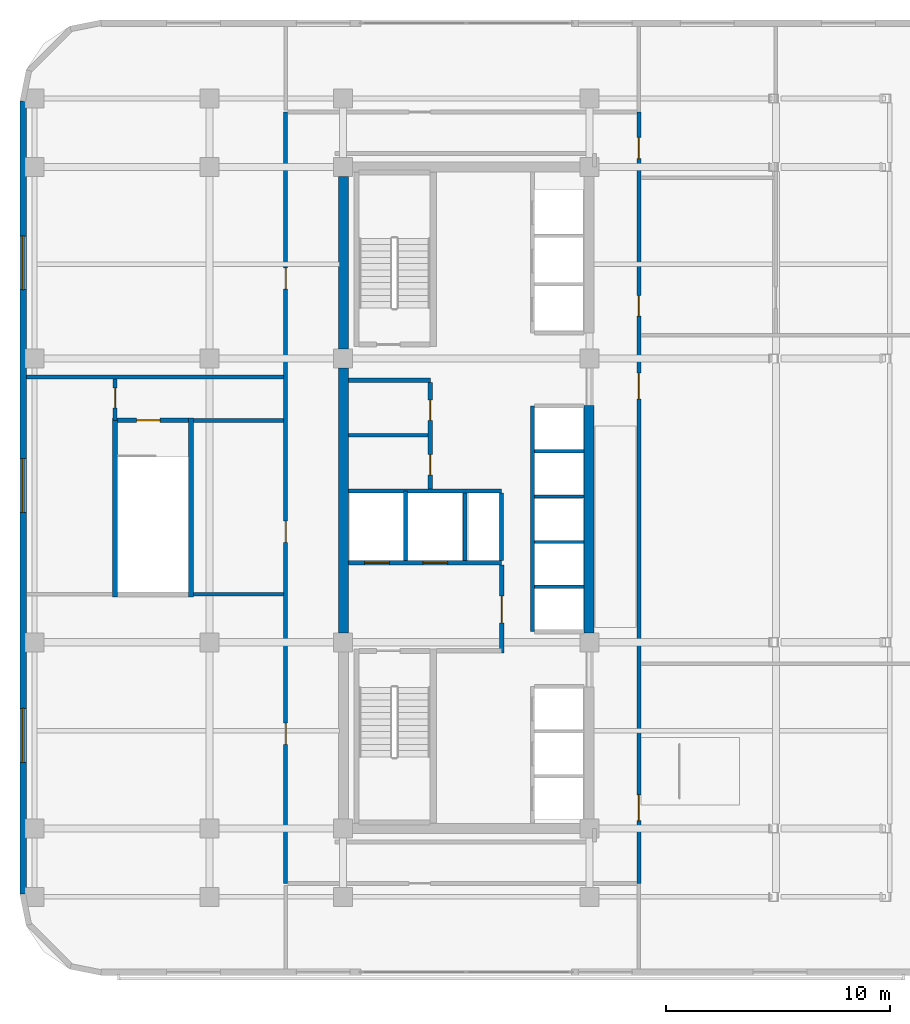
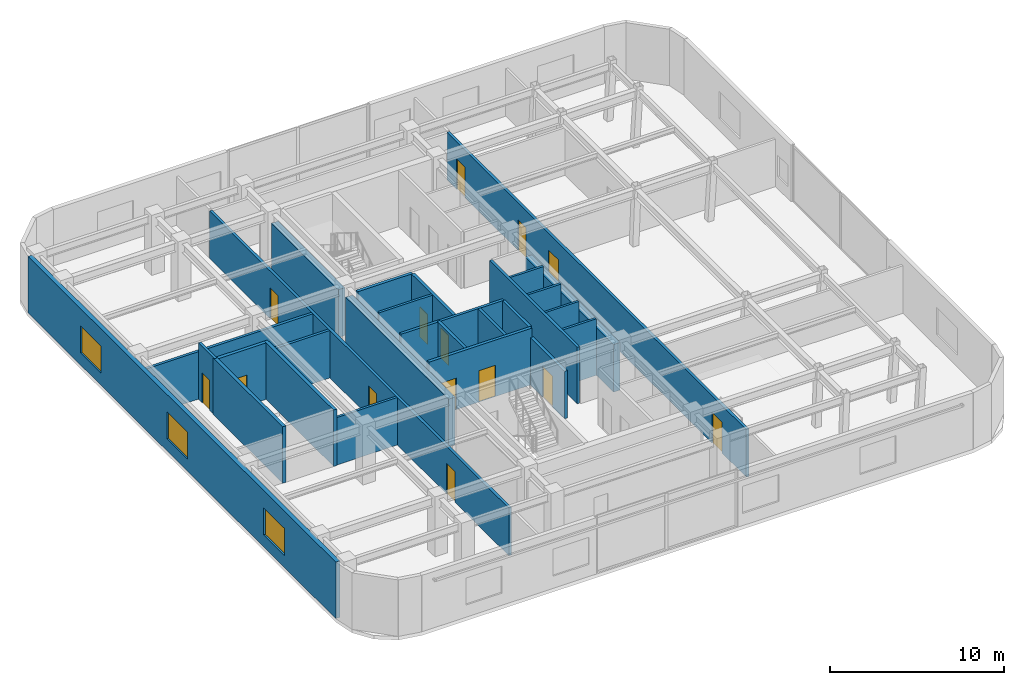
# One storey, part 7 of 13: 27 walls, 14 doors, 3 windows, 17 openings.
"""IFC4 building model written with IfcOpenShell, lengths in metres."""

from ifc_helpers import new_model, si_unit, direction, frame, frame_2d, origin, place, context, subcontext, project, spatial, rectangle, extrude, material, layer, layer_set, type_object, element, fill, save


model = new_model("IFC4")

# Units and contexts
model_context = context("Model", 3, precision=1e-05, world=origin(), true_north=direction((0.0, 1.0)))
body_context = subcontext(model_context, "Body", "Model", "MODEL_VIEW")
ifc_project = project(units=[si_unit("LENGTHUNIT", "METRE"), si_unit("AREAUNIT", "SQUARE_METRE"), si_unit("VOLUMEUNIT", "CUBIC_METRE"), si_unit("PLANEANGLEUNIT", "RADIAN"), si_unit("MASSUNIT", "GRAM", prefix="KILO")], contexts=[model_context])

# Site, building, storey
site_placement = place(None, origin())
site = spatial("IfcSite", under=ifc_project, at=site_placement, CompositionType="ELEMENT")
building_placement = place(site_placement, origin())
building = spatial("IfcBuilding", under=site, at=building_placement, Name="Ochreholt Gables", CompositionType="ELEMENT")
storey_placement = place(building_placement, frame((0.0, 0.0, 98.39990234375)))
storey = spatial("IfcBuildingStorey", under=building, at=storey_placement, Name="L25", CompositionType="ELEMENT", Elevation=98.39990234375)

# Walls
ifc_material_1 = material(Name="Concrete 60 MPa", Category="concrete")
ifc_layer_1 = layer(ifc_material_1, 0.449951171875, Name="Concrete 60 MPa")
ifc_layer_set_1 = layer_set([ifc_layer_1], Name="Concrete 60 MPa")
wall_type_1 = type_object("IfcWallType", Name="WALL-CSW-450", PredefinedType="SHEAR", material=ifc_layer_set_1)
wall_1_placement = place(storey_placement, frame((24.22509765625, 17.97509765625, 0.0), z_axis=(0.0, 0.0, 1.0), x_axis=(0.0, 1.0, 0.0)))
element("IfcWall", 1, at=wall_1_placement, inside=storey, type_object=wall_type_1, Name="L25 Core West Shear Wall WM", PredefinedType="SHEAR", context=body_context, shape_type="SweptSolid", body=[
    extrude(rectangle(XDim=11.7998046875, YDim=0.449951171875, at=frame_2d((5.89990234375, 0.0))), origin(), (0.0, 0.0, 1.0), 3.34912109375),
])
wall_2_placement = place(storey_placement, frame((24.22509765625, 30.625, 0.0), z_axis=(0.0, 0.0, 1.0), x_axis=(0.0, 1.0, 0.0)))
element("IfcWall", 2, at=wall_2_placement, inside=storey, type_object=wall_type_1, Name="L25 Core West Shear Wall WN", PredefinedType="SHEAR", context=body_context, shape_type="SweptSolid", body=[
    extrude(rectangle(XDim=7.699951171875, YDim=0.449951171875, at=frame_2d((3.85009765625, 0.0))), origin(), (0.0, 0.0, 1.0), 3.34912109375),
])
wall_3_placement = place(storey_placement, frame((35.175048828125, 17.97509765625, 0.0), z_axis=(0.0, 0.0, 1.0), x_axis=(0.0, 1.0, 0.0)))
element("IfcWall", 3, at=wall_3_placement, inside=storey, type_object=wall_type_1, Name="L25 Core Central-East Shear Wall", PredefinedType="SHEAR", context=body_context, shape_type="SweptSolid", body=[
    extrude(rectangle(XDim=10.125, YDim=0.449951171875, at=frame_2d((5.0625, 0.0))), origin(), (0.0, 0.0, 1.0), 3.34912109375),
])

# Wall, openings, windows
ifc_material_2 = material(Name="Precast concrete 40 MPa", Category="concrete")
ifc_layer_2 = layer(ifc_material_2, 0.280029296875, Name="Precast concrete 40 MPa")
ifc_layer_set_2 = layer_set([ifc_layer_2], Name="Precast concrete 40 MPa")
wall_type_2 = type_object("IfcWallType", Name="WALL-EXT-280", PredefinedType="SOLIDWALL", material=ifc_layer_set_2)
wall_4_placement = place(storey_placement, frame((9.93994140625, 41.679931640625, 0.0), z_axis=(0.0, 0.0, 1.0), x_axis=(0.0, -1.0, 0.0)))
wall_4 = element("IfcWall", 4, at=wall_4_placement, inside=storey, type_object=wall_type_2, Name="L25 West Exterior Wall", PredefinedType="SOLIDWALL", context=body_context, shape_type="SweptSolid", body=[
    extrude(rectangle(XDim=35.35986328125, YDim=0.280029296875, at=frame_2d((17.679931640625, 0.0))), origin(), (0.0, 0.0, 1.0), 3.960205078125),
])
opening_1_placement = place(wall_4_placement, frame((27.080078125, 0.0, 0.85009765625)))
opening_1 = element("IfcOpeningElement", 5, at=opening_1_placement, cuts=wall_4, Name="Opening WN-5", PredefinedType="OPENING", context=body_context, shape_type="SweptSolid", body=[
    extrude(rectangle(XDim=2.39990234375, YDim=1.89990234375, at=frame_2d((1.199951171875, 0.949951171875))), frame((0.0, 0.14990234375, 0.0), z_axis=(0.0, -1.0, 0.0), x_axis=(1.0, 0.0, 0.0)), (0.0, 0.0, 1.0), 0.300048828125),
])
opening_2_placement = place(wall_4_placement, frame((15.93994140625, 0.0, 0.85009765625)))
opening_2 = element("IfcOpeningElement", 6, at=opening_2_placement, cuts=wall_4, Name="Opening WN-5", PredefinedType="OPENING", context=body_context, shape_type="SweptSolid", body=[
    extrude(rectangle(XDim=2.39990234375, YDim=1.89990234375, at=frame_2d((1.199951171875, 0.949951171875))), frame((0.0, 0.14990234375, 0.0), z_axis=(0.0, -1.0, 0.0), x_axis=(1.0, 0.0, 0.0)), (0.0, 0.0, 1.0), 0.300048828125),
])
opening_3_placement = place(wall_4_placement, frame((6.0048828125, 0.0, 0.85009765625)))
opening_3 = element("IfcOpeningElement", 7, at=opening_3_placement, cuts=wall_4, Name="Opening WN-5", PredefinedType="OPENING", context=body_context, shape_type="SweptSolid", body=[
    extrude(rectangle(XDim=2.39990234375, YDim=1.89990234375, at=frame_2d((1.199951171875, 0.949951171875))), frame((0.0, 0.14990234375, 0.0), z_axis=(0.0, -1.0, 0.0), x_axis=(1.0, 0.0, 0.0)), (0.0, 0.0, 1.0), 0.300048828125),
])
ifc_material_3 = material(Name="Triple-Glazed Thermally Broken Aluminium Window", Category="aluminium")
window_type = type_object("IfcWindowType", Name="WIN-COM-2400", PartitioningType="SINGLE_PANEL", PredefinedType="WINDOW", material=ifc_material_3)
window_1_placement = place(opening_1_placement, origin())
window_1 = element("IfcWindow", 8, at=window_1_placement, inside=storey, type_object=window_type, Name="L25 Window W-EXT-W-L25-1", OverallHeight=1.89990234375, OverallWidth=2.39990234375, PartitioningType="SINGLE_PANEL", PredefinedType="WINDOW", context=body_context, shape_type="SweptSolid", body=[
    extrude(rectangle(XDim=2.39990234375, YDim=1.89990234375, at=frame_2d((1.199951171875, 0.949951171875))), frame((0.0, 0.030029296875, 0.0), z_axis=(0.0, -1.0, 0.0), x_axis=(1.0, 0.0, 0.0)), (0.0, 0.0, 1.0), 0.06005859375),
])
fill(opening_1, window_1)
window_2_placement = place(opening_2_placement, origin())
window_2 = element("IfcWindow", 9, at=window_2_placement, inside=storey, type_object=window_type, Name="L25 Window W-EXT-W-L25-2", OverallHeight=1.89990234375, OverallWidth=2.39990234375, PartitioningType="SINGLE_PANEL", PredefinedType="WINDOW", context=body_context, shape_type="SweptSolid", body=[
    extrude(rectangle(XDim=2.39990234375, YDim=1.89990234375, at=frame_2d((1.199951171875, 0.949951171875))), frame((0.0, 0.030029296875, 0.0), z_axis=(0.0, -1.0, 0.0), x_axis=(1.0, 0.0, 0.0)), (0.0, 0.0, 1.0), 0.06005859375),
])
fill(opening_2, window_2)
window_3_placement = place(opening_3_placement, origin())
window_3 = element("IfcWindow", 10, at=window_3_placement, inside=storey, type_object=window_type, Name="L25 Window W-EXT-W-L25-3", OverallHeight=1.89990234375, OverallWidth=2.39990234375, PartitioningType="SINGLE_PANEL", PredefinedType="WINDOW", context=body_context, shape_type="SweptSolid", body=[
    extrude(rectangle(XDim=2.39990234375, YDim=1.89990234375, at=frame_2d((1.199951171875, 0.949951171875))), frame((0.0, 0.030029296875, 0.0), z_axis=(0.0, -1.0, 0.0), x_axis=(1.0, 0.0, 0.0)), (0.0, 0.0, 1.0), 0.06005859375),
])
fill(opening_3, window_3)

# Wall, openings, doors
ifc_material_4 = material(Name="Concrete 40 MPa", Category="concrete")
ifc_layer_3 = layer(ifc_material_4, 0.199951171875, Name="Concrete 40 MPa")
ifc_layer_set_3 = layer_set([ifc_layer_3], Name="Concrete 40 MPa")
wall_type_3 = type_object("IfcWallType", Name="WALL-INT-CF200", PredefinedType="STANDARD", material=ifc_layer_set_3)
wall_5_placement = place(storey_placement, frame((24.449951171875, 21.090087890625, 0.0), z_axis=(0.0, 0.0, 1.0), x_axis=(1.0, 0.0, 0.0)))
wall_5 = element("IfcWall", 11, at=wall_5_placement, inside=storey, type_object=wall_type_3, Name="L25 Interior Wall WI-FFN-L25", PredefinedType="STANDARD", context=body_context, shape_type="SweptSolid", body=[
    extrude(rectangle(XDim=6.830078125, YDim=0.199951171875, at=frame_2d((3.4150390625, 0.0))), origin(), (0.0, 0.0, 1.0), 3.960205078125),
])
opening_4_placement = place(wall_5_placement, frame((0.719970703125, 0.0, 0.0)))
opening_4 = element("IfcOpeningElement", 12, at=opening_4_placement, cuts=wall_5, Name="Opening LD-FF", PredefinedType="OPENING", context=body_context, shape_type="SweptSolid", body=[
    extrude(rectangle(XDim=1.10009765625, YDim=2.199951171875, at=frame_2d((0.550048828125, 1.10009765625))), frame((0.0, 0.10986328125, 0.0), z_axis=(0.0, -1.0, 0.0), x_axis=(1.0, 0.0, 0.0)), (0.0, 0.0, 1.0), 0.219970703125),
])
opening_5_placement = place(wall_5_placement, frame((3.320068359375, 0.0, 0.0)))
opening_5 = element("IfcOpeningElement", 13, at=opening_5_placement, cuts=wall_5, Name="Opening LD-FF", PredefinedType="OPENING", context=body_context, shape_type="SweptSolid", body=[
    extrude(rectangle(XDim=1.10009765625, YDim=2.199951171875, at=frame_2d((0.550048828125, 1.10009765625))), frame((0.0, 0.10986328125, 0.0), z_axis=(0.0, -1.0, 0.0), x_axis=(1.0, 0.0, 0.0)), (0.0, 0.0, 1.0), 0.219970703125),
])
ifc_material_5 = material(Name="Stainless Steel", Category="steel")
door_type_1 = type_object("IfcDoorType", Name="DR-LFT-FF1100", OperationType="NOTDEFINED", PredefinedType="DOOR", material=ifc_material_5)
door_1_placement = place(opening_4_placement, origin())
door_1 = element("IfcDoor", 14, at=door_1_placement, inside=storey, type_object=door_type_1, Name="L25 Door LD-FF1-L25", OperationType="SLIDING_TO_LEFT", OverallHeight=2.199951171875, OverallWidth=1.10009765625, PredefinedType="DOOR", context=body_context, shape_type="SweptSolid", body=[
    extrude(rectangle(XDim=1.10009765625, YDim=2.199951171875, at=frame_2d((0.550048828125, 1.10009765625))), frame((0.0, 0.02490234375, 0.0), z_axis=(0.0, -1.0, 0.0), x_axis=(1.0, 0.0, 0.0)), (0.0, 0.0, 1.0), 0.050048828125),
])
fill(opening_4, door_1)
door_2_placement = place(opening_5_placement, origin())
door_2 = element("IfcDoor", 15, at=door_2_placement, inside=storey, type_object=door_type_1, Name="L25 Door LD-FF2-L25", OperationType="SLIDING_TO_LEFT", OverallHeight=2.199951171875, OverallWidth=1.10009765625, PredefinedType="DOOR", context=body_context, shape_type="SweptSolid", body=[
    extrude(rectangle(XDim=1.10009765625, YDim=2.199951171875, at=frame_2d((0.550048828125, 1.10009765625))), frame((0.0, 0.02490234375, 0.0), z_axis=(0.0, -1.0, 0.0), x_axis=(1.0, 0.0, 0.0)), (0.0, 0.0, 1.0), 0.050048828125),
])
fill(opening_5, door_2)

# Wall, opening, door
wall_6_placement = place(storey_placement, frame((31.280029296875, 17.070068359375, 0.0), z_axis=(0.0, 0.0, 1.0), x_axis=(0.0, 1.0, 0.0)))
wall_6 = element("IfcWall", 16, at=wall_6_placement, inside=storey, type_object=wall_type_3, Name="L25 Interior Wall WI-FFE-L25", PredefinedType="STANDARD", context=body_context, shape_type="SweptSolid", body=[
    extrude(rectangle(XDim=3.919921875, YDim=0.199951171875, at=frame_2d((1.9599609375, 0.0))), origin(), (0.0, 0.0, 1.0), 3.3310546875),
])
opening_6_placement = place(wall_6_placement, frame((1.35009765625, 0.0, 0.0)))
opening_6 = element("IfcOpeningElement", 17, at=opening_6_placement, cuts=wall_6, Name="Opening D-FFL", PredefinedType="OPENING", context=body_context, shape_type="SweptSolid", body=[
    extrude(rectangle(XDim=1.199951171875, YDim=2.14990234375, at=frame_2d((0.60009765625, 1.074951171875))), frame((0.0, 0.10986328125, 0.0), z_axis=(0.0, -1.0, 0.0), x_axis=(1.0, 0.0, 0.0)), (0.0, 0.0, 1.0), 0.219970703125),
])
ifc_material_6 = material(Name="Hollow Metal Steel", Category="steel")
door_type_2 = type_object("IfcDoorType", Name="DR-INT-FFL1200", OperationType="NOTDEFINED", PredefinedType="DOOR", material=ifc_material_6)
door_3_placement = place(opening_6_placement, origin())
door_3 = element("IfcDoor", 18, at=door_3_placement, inside=storey, type_object=door_type_2, Name="L25 Door D-FFL-L25", OperationType="SINGLE_SWING_LEFT", OverallHeight=2.14990234375, OverallWidth=1.199951171875, PredefinedType="DOOR", context=body_context, shape_type="SweptSolid", body=[
    extrude(rectangle(XDim=1.199951171875, YDim=2.14990234375, at=frame_2d((0.60009765625, 1.074951171875))), frame((0.0, 0.02490234375, 0.0), z_axis=(0.0, -1.0, 0.0), x_axis=(1.0, 0.0, 0.0)), (0.0, 0.0, 1.0), 0.050048828125),
])
fill(opening_6, door_3)

# Wall
wall_7_placement = place(storey_placement, frame((24.449951171875, 29.239990234375, 0.0), z_axis=(0.0, 0.0, 1.0), x_axis=(1.0, 0.0, 0.0)))
element("IfcWall", 19, at=wall_7_placement, inside=storey, type_object=wall_type_3, Name="L25 Interior Wall WI-SRVN-L25", PredefinedType="STANDARD", context=body_context, shape_type="SweptSolid", body=[
    extrude(rectangle(XDim=3.650146484375, YDim=0.199951171875, at=frame_2d((1.8251953125, 0.0))), origin(), (0.0, 0.0, 1.0), 3.960205078125),
])

# Wall, openings, doors
wall_8_placement = place(storey_placement, frame((28.10009765625, 24.389892578125, 0.0), z_axis=(0.0, 0.0, 1.0), x_axis=(0.0, 1.0, 0.0)))
wall_8 = element("IfcWall", 20, at=wall_8_placement, inside=storey, type_object=wall_type_3, Name="L25 Interior Wall WI-SRVE-L25", PredefinedType="STANDARD", context=body_context, shape_type="SweptSolid", body=[
    extrude(rectangle(XDim=4.75, YDim=0.199951171875, at=frame_2d((2.375, 0.0))), origin(), (0.0, 0.0, 1.0), 3.960205078125),
])
opening_7_placement = place(wall_8_placement, frame((0.6298828125, 0.0, 0.0)))
opening_7 = element("IfcOpeningElement", 21, at=opening_7_placement, cuts=wall_8, Name="Opening D-SV1", PredefinedType="OPENING", context=body_context, shape_type="SweptSolid", body=[
    extrude(rectangle(XDim=0.89990234375, YDim=2.10009765625, at=frame_2d((0.449951171875, 1.050048828125))), frame((0.0, 0.10986328125, 0.0), z_axis=(0.0, -1.0, 0.0), x_axis=(1.0, 0.0, 0.0)), (0.0, 0.0, 1.0), 0.219970703125),
])
opening_8_placement = place(wall_8_placement, frame((3.06005859375, 0.0, 0.0)))
opening_8 = element("IfcOpeningElement", 22, at=opening_8_placement, cuts=wall_8, Name="Opening D-SV1", PredefinedType="OPENING", context=body_context, shape_type="SweptSolid", body=[
    extrude(rectangle(XDim=0.89990234375, YDim=2.10009765625, at=frame_2d((0.449951171875, 1.050048828125))), frame((0.0, 0.10986328125, 0.0), z_axis=(0.0, -1.0, 0.0), x_axis=(1.0, 0.0, 0.0)), (0.0, 0.0, 1.0), 0.219970703125),
])
door_type_3 = type_object("IfcDoorType", Name="DR-INT-SRV900", OperationType="NOTDEFINED", PredefinedType="DOOR", material=ifc_material_6)
door_4_placement = place(opening_7_placement, origin())
door_4 = element("IfcDoor", 23, at=door_4_placement, inside=storey, type_object=door_type_3, Name="L25 Door D-SRV1-L25", OperationType="SINGLE_SWING_LEFT", OverallHeight=2.10009765625, OverallWidth=0.89990234375, PredefinedType="DOOR", context=body_context, shape_type="SweptSolid", body=[
    extrude(rectangle(XDim=0.89990234375, YDim=2.10009765625, at=frame_2d((0.449951171875, 1.050048828125))), frame((0.0, 0.02490234375, 0.0), z_axis=(0.0, -1.0, 0.0), x_axis=(1.0, 0.0, 0.0)), (0.0, 0.0, 1.0), 0.050048828125),
])
fill(opening_7, door_4)
door_5_placement = place(opening_8_placement, origin())
door_5 = element("IfcDoor", 24, at=door_5_placement, inside=storey, type_object=door_type_3, Name="L25 Door D-SRV2-L25", OperationType="SINGLE_SWING_RIGHT", OverallHeight=2.10009765625, OverallWidth=0.89990234375, PredefinedType="DOOR", context=body_context, shape_type="SweptSolid", body=[
    extrude(rectangle(XDim=0.89990234375, YDim=2.10009765625, at=frame_2d((0.449951171875, 1.050048828125))), frame((0.0, 0.02490234375, 0.0), z_axis=(0.0, -1.0, 0.0), x_axis=(1.0, 0.0, 0.0)), (0.0, 0.0, 1.0), 0.050048828125),
])
fill(opening_8, door_5)

ifc_material_7 = material(Name="Fire-Rated Gypsum Acoustic Partition", Category="gypsum")
ifc_layer_4 = layer(ifc_material_7, 0.179931640625, Name="Fire-Rated Gypsum Acoustic Partition")
ifc_layer_set_4 = layer_set([ifc_layer_4], Name="Fire-Rated Gypsum Acoustic Partition")
wall_type_4 = type_object("IfcWallType", Name="WALL-INT-CR180", PredefinedType="STANDARD", material=ifc_layer_set_4)
wall_9_placement = place(storey_placement, frame((37.39990234375, 6.800048828125, 0.0), z_axis=(0.0, 0.0, 1.0), x_axis=(0.0, 1.0, 0.0)))
wall_9 = element("IfcWall", 25, at=wall_9_placement, inside=storey, type_object=wall_type_4, Name="L25 Interior Wall WI-CMCE-L25", PredefinedType="STANDARD", context=body_context, shape_type="SweptSolid", body=[
    extrude(rectangle(XDim=34.39990234375, YDim=0.179931640625, at=frame_2d((17.199951171875, 0.0))), origin(), (0.0, 0.0, 1.0), 3.3310546875),
])
opening_9_placement = place(wall_9_placement, frame((25.2900390625, 0.0, 0.0)))
opening_9 = element("IfcOpeningElement", 26, at=opening_9_placement, cuts=wall_9, Name="Opening D-WC1", PredefinedType="OPENING", context=body_context, shape_type="SweptSolid", body=[
    extrude(rectangle(XDim=0.919921875, YDim=2.139892578125, at=frame_2d((0.4599609375, 1.06982421875))), frame((0.0, 0.099853515625, 0.0), z_axis=(0.0, -1.0, 0.0), x_axis=(1.0, 0.0, 0.0)), (0.0, 0.0, 1.0), 0.199951171875),
])
opening_10_placement = place(wall_9_placement, frame((32.320068359375, 0.0, 0.0)))
opening_10 = element("IfcOpeningElement", 27, at=opening_10_placement, cuts=wall_9, Name="Opening D-WC2", PredefinedType="OPENING", context=body_context, shape_type="SweptSolid", body=[
    extrude(rectangle(XDim=0.949951171875, YDim=2.139892578125, at=frame_2d((0.47509765625, 1.06982421875))), frame((0.0, 0.099853515625, 0.0), z_axis=(0.0, -1.0, 0.0), x_axis=(1.0, 0.0, 0.0)), (0.0, 0.0, 1.0), 0.199951171875),
])
opening_11_placement = place(wall_9_placement, frame((2.800048828125, 0.0, 0.0)))
opening_11 = element("IfcOpeningElement", 28, at=opening_11_placement, cuts=wall_9, Name="Opening D-CM1", PredefinedType="OPENING", context=body_context, shape_type="SweptSolid", body=[
    extrude(rectangle(XDim=1.14990234375, YDim=2.14990234375, at=frame_2d((0.574951171875, 1.074951171875))), frame((0.0, 0.099853515625, 0.0), z_axis=(0.0, -1.0, 0.0), x_axis=(1.0, 0.0, 0.0)), (0.0, 0.0, 1.0), 0.199951171875),
])
opening_12_placement = place(wall_9_placement, frame((21.60009765625, 0.0, 0.0)))
opening_12 = element("IfcOpeningElement", 29, at=opening_12_placement, cuts=wall_9, Name="Opening D-CM1", PredefinedType="OPENING", context=body_context, shape_type="SweptSolid", body=[
    extrude(rectangle(XDim=1.14990234375, YDim=2.14990234375, at=frame_2d((0.574951171875, 1.074951171875))), frame((0.0, 0.099853515625, 0.0), z_axis=(0.0, -1.0, 0.0), x_axis=(1.0, 0.0, 0.0)), (0.0, 0.0, 1.0), 0.199951171875),
])
ifc_material_8 = material(Name="Engineered Oak Timber", Category="wood")
door_type_4 = type_object("IfcDoorType", Name="DR-INT-COM1150", OperationType="NOTDEFINED", PredefinedType="DOOR", material=ifc_material_8)
door_6_placement = place(opening_11_placement, origin())
door_6 = element("IfcDoor", 30, at=door_6_placement, inside=storey, type_object=door_type_4, Name="L25 Door D-CMS-L25", OperationType="SINGLE_SWING_LEFT", OverallHeight=2.14990234375, OverallWidth=1.14990234375, PredefinedType="DOOR", context=body_context, shape_type="SweptSolid", body=[
    extrude(rectangle(XDim=1.14990234375, YDim=2.14990234375, at=frame_2d((0.574951171875, 1.074951171875))), frame((0.0, 0.02490234375, 0.0), z_axis=(0.0, -1.0, 0.0), x_axis=(1.0, 0.0, 0.0)), (0.0, 0.0, 1.0), 0.050048828125),
])
fill(opening_11, door_6)
door_7_placement = place(opening_12_placement, origin())
door_7 = element("IfcDoor", 31, at=door_7_placement, inside=storey, type_object=door_type_4, Name="L25 Door D-CMM-L25", OperationType="SINGLE_SWING_RIGHT", OverallHeight=2.14990234375, OverallWidth=1.14990234375, PredefinedType="DOOR", context=body_context, shape_type="SweptSolid", body=[
    extrude(rectangle(XDim=1.14990234375, YDim=2.14990234375, at=frame_2d((0.574951171875, 1.074951171875))), frame((0.0, 0.02490234375, 0.0), z_axis=(0.0, -1.0, 0.0), x_axis=(1.0, 0.0, 0.0)), (0.0, 0.0, 1.0), 0.050048828125),
])
fill(opening_12, door_7)
door_type_5 = type_object("IfcDoorType", Name="DR-INT-WC920", OperationType="NOTDEFINED", PredefinedType="DOOR", material=ifc_material_8)
door_8_placement = place(opening_9_placement, origin())
door_8 = element("IfcDoor", 32, at=door_8_placement, inside=storey, type_object=door_type_5, Name="L25 Door D-CMWC1-L25", OperationType="SINGLE_SWING_LEFT", OverallHeight=2.139892578125, OverallWidth=0.919921875, PredefinedType="DOOR", context=body_context, shape_type="SweptSolid", body=[
    extrude(rectangle(XDim=0.919921875, YDim=2.139892578125, at=frame_2d((0.4599609375, 1.06982421875))), frame((0.0, 0.02490234375, 0.0), z_axis=(0.0, -1.0, 0.0), x_axis=(1.0, 0.0, 0.0)), (0.0, 0.0, 1.0), 0.050048828125),
])
fill(opening_9, door_8)
door_type_6 = type_object("IfcDoorType", Name="DR-INT-WC950", OperationType="NOTDEFINED", PredefinedType="DOOR", material=ifc_material_8)
door_9_placement = place(opening_10_placement, origin())
door_9 = element("IfcDoor", 33, at=door_9_placement, inside=storey, type_object=door_type_6, Name="L25 Door D-CMWC2-L25", OperationType="SINGLE_SWING_RIGHT", OverallHeight=2.139892578125, OverallWidth=0.949951171875, PredefinedType="DOOR", context=body_context, shape_type="SweptSolid", body=[
    extrude(rectangle(XDim=0.949951171875, YDim=2.139892578125, at=frame_2d((0.47509765625, 1.06982421875))), frame((0.0, 0.02490234375, 0.0), z_axis=(0.0, -1.0, 0.0), x_axis=(1.0, 0.0, 0.0)), (0.0, 0.0, 1.0), 0.050048828125),
])
fill(opening_10, door_9)

wall_10_placement = place(storey_placement, frame((21.64990234375, 6.800048828125, 0.0), z_axis=(0.0, 0.0, 1.0), x_axis=(0.0, 1.0, 0.0)))
wall_10 = element("IfcWall", 34, at=wall_10_placement, inside=storey, type_object=wall_type_4, Name="L25 Interior Wall WI-CMCW-L25", PredefinedType="STANDARD", context=body_context, shape_type="SweptSolid", body=[
    extrude(rectangle(XDim=34.39990234375, YDim=0.179931640625, at=frame_2d((17.199951171875, 0.0))), origin(), (0.0, 0.0, 1.0), 3.3310546875),
])
opening_13_placement = place(wall_10_placement, frame((15.199951171875, 0.0, 0.0)))
opening_13 = element("IfcOpeningElement", 35, at=opening_13_placement, cuts=wall_10, Name="Opening D-GN1", PredefinedType="OPENING", context=body_context, shape_type="SweptSolid", body=[
    extrude(rectangle(XDim=0.949951171875, YDim=2.14990234375, at=frame_2d((0.47509765625, 1.074951171875))), frame((0.0, 0.099853515625, 0.0), z_axis=(0.0, -1.0, 0.0), x_axis=(1.0, 0.0, 0.0)), (0.0, 0.0, 1.0), 0.199951171875),
])
opening_14_placement = place(wall_10_placement, frame((6.199951171875, 0.0, 0.0)))
opening_14 = element("IfcOpeningElement", 36, at=opening_14_placement, cuts=wall_10, Name="Opening D-GN1", PredefinedType="OPENING", context=body_context, shape_type="SweptSolid", body=[
    extrude(rectangle(XDim=0.949951171875, YDim=2.14990234375, at=frame_2d((0.47509765625, 1.074951171875))), frame((0.0, 0.099853515625, 0.0), z_axis=(0.0, -1.0, 0.0), x_axis=(1.0, 0.0, 0.0)), (0.0, 0.0, 1.0), 0.199951171875),
])
opening_15_placement = place(wall_10_placement, frame((26.5, 0.0, 0.0)))
opening_15 = element("IfcOpeningElement", 37, at=opening_15_placement, cuts=wall_10, Name="Opening D-GN1", PredefinedType="OPENING", context=body_context, shape_type="SweptSolid", body=[
    extrude(rectangle(XDim=0.949951171875, YDim=2.14990234375, at=frame_2d((0.47509765625, 1.074951171875))), frame((0.0, 0.099853515625, 0.0), z_axis=(0.0, -1.0, 0.0), x_axis=(1.0, 0.0, 0.0)), (0.0, 0.0, 1.0), 0.199951171875),
])
door_type_7 = type_object("IfcDoorType", Name="DR-INT-GEN950", OperationType="NOTDEFINED", PredefinedType="DOOR", material=ifc_material_8)
door_10_placement = place(opening_13_placement, origin())
door_10 = element("IfcDoor", 38, at=door_10_placement, inside=storey, type_object=door_type_7, Name="L25 Door D-CMWMD-L25", OperationType="SINGLE_SWING_RIGHT", OverallHeight=2.14990234375, OverallWidth=0.949951171875, PredefinedType="DOOR", context=body_context, shape_type="SweptSolid", body=[
    extrude(rectangle(XDim=0.949951171875, YDim=2.14990234375, at=frame_2d((0.47509765625, 1.074951171875))), frame((0.0, 0.02490234375, 0.0), z_axis=(0.0, -1.0, 0.0), x_axis=(1.0, 0.0, 0.0)), (0.0, 0.0, 1.0), 0.050048828125),
])
fill(opening_13, door_10)
door_11_placement = place(opening_14_placement, origin())
door_11 = element("IfcDoor", 39, at=door_11_placement, inside=storey, type_object=door_type_7, Name="L25 Door D-CMW1-L25", OperationType="SINGLE_SWING_LEFT", OverallHeight=2.14990234375, OverallWidth=0.949951171875, PredefinedType="DOOR", context=body_context, shape_type="SweptSolid", body=[
    extrude(rectangle(XDim=0.949951171875, YDim=2.14990234375, at=frame_2d((0.47509765625, 1.074951171875))), frame((0.0, 0.02490234375, 0.0), z_axis=(0.0, -1.0, 0.0), x_axis=(1.0, 0.0, 0.0)), (0.0, 0.0, 1.0), 0.050048828125),
])
fill(opening_14, door_11)
door_12_placement = place(opening_15_placement, origin())
door_12 = element("IfcDoor", 40, at=door_12_placement, inside=storey, type_object=door_type_7, Name="L25 Door D-CMW2-L25", OperationType="SINGLE_SWING_RIGHT", OverallHeight=2.14990234375, OverallWidth=0.949951171875, PredefinedType="DOOR", context=body_context, shape_type="SweptSolid", body=[
    extrude(rectangle(XDim=0.949951171875, YDim=2.14990234375, at=frame_2d((0.47509765625, 1.074951171875))), frame((0.0, 0.02490234375, 0.0), z_axis=(0.0, -1.0, 0.0), x_axis=(1.0, 0.0, 0.0)), (0.0, 0.0, 1.0), 0.050048828125),
])
fill(opening_15, door_12)

# Walls
wall_11_placement = place(storey_placement, frame((17.530029296875, 27.449951171875, 0.0), z_axis=(0.0, 0.0, 1.0), x_axis=(1.0, 0.0, 0.0)))
element("IfcWall", 41, at=wall_11_placement, inside=storey, type_object=wall_type_4, Name="L25 Interior Wall WI-CMFS1-L25", PredefinedType="STANDARD", context=body_context, shape_type="SweptSolid", body=[
    extrude(rectangle(XDim=4.030029296875, YDim=0.179931640625, at=frame_2d((2.01513671875, 0.0))), origin(), (0.0, 0.0, 1.0), 3.3310546875),
])
wall_12_placement = place(storey_placement, frame((10.080078125, 29.389892578125, 0.0), z_axis=(0.0, 0.0, 1.0), x_axis=(1.0, 0.0, 0.0)))
element("IfcWall", 42, at=wall_12_placement, inside=storey, type_object=wall_type_4, Name="L25 Interior Wall WI-CMFS2-L25", PredefinedType="STANDARD", context=body_context, shape_type="SweptSolid", body=[
    extrude(rectangle(XDim=11.47998046875, YDim=0.179931640625, at=frame_2d((5.739990234375, 0.0))), origin(), (0.0, 0.0, 1.0), 3.3310546875),
])

# Wall, opening, door
wall_13_placement = place(storey_placement, frame((14.0400390625, 27.449951171875, 0.0), z_axis=(0.0, 0.0, 1.0), x_axis=(0.0, 1.0, 0.0)))
wall_13 = element("IfcWall", 43, at=wall_13_placement, inside=storey, type_object=wall_type_4, Name="L25 Interior Wall WI-CMFS3-L25", PredefinedType="STANDARD", context=body_context, shape_type="SweptSolid", body=[
    extrude(rectangle(XDim=1.85009765625, YDim=0.179931640625, at=frame_2d((0.925048828125, 0.0))), origin(), (0.0, 0.0, 1.0), 3.960205078125),
])
opening_16_placement = place(wall_13_placement, frame((0.550048828125, 0.0, 0.0)))
opening_16 = element("IfcOpeningElement", 44, at=opening_16_placement, cuts=wall_13, Name="Opening D-GN2", PredefinedType="OPENING", context=body_context, shape_type="SweptSolid", body=[
    extrude(rectangle(XDim=0.8798828125, YDim=2.1201171875, at=frame_2d((0.43994140625, 1.06005859375))), frame((0.0, 0.099853515625, 0.0), z_axis=(0.0, -1.0, 0.0), x_axis=(1.0, 0.0, 0.0)), (0.0, 0.0, 1.0), 0.199951171875),
])
door_type_8 = type_object("IfcDoorType", Name="DR-INT-GEN880", OperationType="NOTDEFINED", PredefinedType="DOOR", material=ifc_material_8)
door_13_placement = place(opening_16_placement, origin())
door_13 = element("IfcDoor", 45, at=door_13_placement, inside=storey, type_object=door_type_8, Name="L25 Door D-CMWSG-L25", OperationType="SINGLE_SWING_LEFT", OverallHeight=2.1201171875, OverallWidth=0.8798828125, PredefinedType="DOOR", context=body_context, shape_type="SweptSolid", body=[
    extrude(rectangle(XDim=0.8798828125, YDim=2.1201171875, at=frame_2d((0.43994140625, 1.06005859375))), frame((0.0, 0.02490234375, 0.0), z_axis=(0.0, -1.0, 0.0), x_axis=(1.0, 0.0, 0.0)), (0.0, 0.0, 1.0), 0.050048828125),
])
fill(opening_16, door_13)

# Walls
ifc_material_9 = material(Name="Gypsum Acoustic Stud Partition", Category="gypsum")
ifc_layer_5 = layer(ifc_material_9, 0.159912109375, Name="Gypsum Acoustic Stud Partition")
ifc_layer_set_5 = layer_set([ifc_layer_5], Name="Gypsum Acoustic Stud Partition")
wall_type_5 = type_object("IfcWallType", Name="WALL-INT-PT160", PredefinedType="PARTITIONING", material=ifc_layer_set_5)
wall_14_placement = place(storey_placement, frame((24.449951171875, 26.780029296875, 0.0), z_axis=(0.0, 0.0, 1.0), x_axis=(1.0, 0.0, 0.0)))
element("IfcWall", 46, at=wall_14_placement, inside=storey, type_object=wall_type_5, Name="L25 Interior Wall WI-SRVP1-L25", PredefinedType="PARTITIONING", context=body_context, shape_type="SweptSolid", body=[
    extrude(rectangle(XDim=3.550048828125, YDim=0.159912109375, at=frame_2d((1.77490234375, 0.0))), origin(), (0.0, 0.0, 1.0), 3.960205078125),
])
wall_15_placement = place(storey_placement, frame((17.530029296875, 19.68994140625, 0.0), z_axis=(0.0, 0.0, 1.0), x_axis=(1.0, 0.0, 0.0)))
element("IfcWall", 47, at=wall_15_placement, inside=storey, type_object=wall_type_5, Name="L25 Interior Wall WI-CMWM2-L25", PredefinedType="PARTITIONING", context=body_context, shape_type="SweptSolid", body=[
    extrude(rectangle(XDim=4.030029296875, YDim=0.159912109375, at=frame_2d((2.01513671875, 0.0))), origin(), (0.0, 0.0, 1.0), 3.3310546875),
])
ifc_material_10 = material(Name="Gypsum Shaftliner and Steel Stud", Category="steel")
ifc_layer_6 = layer(ifc_material_10, 0.14990234375, Name="Gypsum Shaftliner and Steel Stud")
ifc_layer_set_6 = layer_set([ifc_layer_6], Name="Gypsum Shaftliner and Steel Stud")
wall_type_6 = type_object("IfcWallType", Name="WALL-INT-SH150", PredefinedType="STANDARD", material=ifc_layer_set_6)
for number, where, z_axis, x_axis, name in (
    (48, (32.739990234375, 20.02001953125, 0.0), (0.0, 0.0, 1.0), (1.0, 0.0, 0.0), "L25 Interior Wall WI-LFHE-DH1-L25"),
    (49, (32.739990234375, 22.02001953125, 0.0), (0.0, 0.0, 1.0), (1.0, 0.0, 0.0), "L25 Interior Wall WI-LFHE-DH2-L25"),
    (50, (32.739990234375, 24.050048828125, 0.0), (0.0, 0.0, 1.0), (1.0, 0.0, 0.0), "L25 Interior Wall WI-LFHE-DHE-L25"),
    (51, (32.739990234375, 26.070068359375, 0.0), (0.0, 0.0, 1.0), (1.0, 0.0, 0.0), "L25 Interior Wall WI-LFHE-DEX1-L25"),
):
    element("IfcWall", number, at=place(storey_placement, frame(where, z_axis=z_axis, x_axis=x_axis)), inside=storey, type_object=wall_type_6, Name=name, PredefinedType="STANDARD", context=body_context, shape_type="SweptSolid", body=[
        extrude(rectangle(XDim=2.2099609375, YDim=0.14990234375, at=frame_2d((1.10498046875, 0.0))), origin(), (0.0, 0.0, 1.0), 3.960205078125),
    ])
ifc_layer_7 = layer(ifc_material_10, 0.179931640625, Name="Gypsum Shaftliner and Steel Stud")
ifc_layer_set_7 = layer_set([ifc_layer_7], Name="Gypsum Shaftliner and Steel Stud")
wall_type_7 = type_object("IfcWallType", Name="WALL-INT-SH180", PredefinedType="STANDARD", material=ifc_layer_set_7)
wall_16_placement = place(storey_placement, frame((27.0, 21.18994140625, 0.0), z_axis=(0.0, 0.0, 1.0), x_axis=(0.0, 1.0, 0.0)))
element("IfcWall", 52, at=wall_16_placement, inside=storey, type_object=wall_type_7, Name="L25 Interior Wall WI-FFDIV-L25", PredefinedType="STANDARD", context=body_context, shape_type="SweptSolid", body=[
    extrude(rectangle(XDim=3.110107421875, YDim=0.179931640625, at=frame_2d((1.55517578125, 0.0))), origin(), (0.0, 0.0, 1.0), 3.960205078125),
])
wall_17_placement = place(storey_placement, frame((24.449951171875, 24.300048828125, 0.0), z_axis=(0.0, 0.0, 1.0), x_axis=(1.0, 0.0, 0.0)))
element("IfcWall", 53, at=wall_17_placement, inside=storey, type_object=wall_type_7, Name="L25 Interior Wall WI-FFBK-L25", PredefinedType="STANDARD", context=body_context, shape_type="SweptSolid", body=[
    extrude(rectangle(XDim=6.830078125, YDim=0.179931640625, at=frame_2d((3.4150390625, 0.0))), origin(), (0.0, 0.0, 1.0), 3.960205078125),
])
for number, where, z_axis, x_axis, name in (
    (54, (29.64990234375, 21.18994140625, 0.0), (0.0, 0.0, 1.0), (0.0, 1.0, 0.0), "L25 Interior Wall WI-FFSH-L25"),
    (55, (31.280029296875, 21.18994140625, 0.0), (0.0, 0.0, 1.0), (0.0, 1.0, 0.0), "L25 Interior Wall WI-RSE-L25"),
):
    element("IfcWall", number, at=place(storey_placement, frame(where, z_axis=z_axis, x_axis=x_axis)), inside=storey, type_object=wall_type_7, Name=name, PredefinedType="STANDARD", context=body_context, shape_type="SweptSolid", body=[
        extrude(rectangle(XDim=3.02001953125, YDim=0.179931640625, at=frame_2d((1.510009765625, 0.0))), origin(), (0.0, 0.0, 1.0), 3.960205078125),
    ])
wall_18_placement = place(storey_placement, frame((32.64990234375, 18.02001953125, 0.0), z_axis=(0.0, 0.0, 1.0), x_axis=(0.0, 1.0, 0.0)))
element("IfcWall", 56, at=wall_18_placement, inside=storey, type_object=wall_type_7, Name="L25 Interior Wall WI-LFHE-FR-L25", PredefinedType="STANDARD", context=body_context, shape_type="SweptSolid", body=[
    extrude(rectangle(XDim=10.06005859375, YDim=0.179931640625, at=frame_2d((5.030029296875, 0.0))), origin(), (0.0, 0.0, 1.0), 3.960205078125),
])
ifc_material_11 = material(Name="Concrete 50 MPa", Category="concrete")
ifc_layer_8 = layer(ifc_material_11, 0.219970703125, Name="Concrete 50 MPa")
ifc_layer_set_8 = layer_set([ifc_layer_8], Name="Concrete 50 MPa")
wall_type_8 = type_object("IfcWallType", Name="WALL-STW-220", PredefinedType="SHEAR", material=ifc_layer_set_8)
for number, where, z_axis, x_axis, name in (
    (57, (14.0400390625, 19.580078125, 0.0), (0.0, 0.0, 1.0), (0.0, 1.0, 0.0), "L25 Feature Stair ST-C2 West Wall"),
    (58, (17.419921875, 19.580078125, 0.0), (0.0, 0.0, 1.0), (0.0, 1.0, 0.0), "L25 Feature Stair ST-C2 East Wall"),
):
    element("IfcWall", number, at=place(storey_placement, frame(where, z_axis=z_axis, x_axis=x_axis)), inside=storey, type_object=wall_type_8, Name=name, PredefinedType="SHEAR", context=body_context, shape_type="SweptSolid", body=[
        extrude(rectangle(XDim=7.97998046875, YDim=0.219970703125, at=frame_2d((3.989990234375, 0.0))), origin(), (0.0, 0.0, 1.0), 3.960205078125),
    ])

# Wall, opening, door
wall_19_placement = place(storey_placement, frame((14.14990234375, 27.449951171875, 0.0), z_axis=(0.0, 0.0, 1.0), x_axis=(1.0, 0.0, 0.0)))
wall_19 = element("IfcWall", 59, at=wall_19_placement, inside=storey, type_object=wall_type_8, Name="L25 Feature Stair ST-C2 North Wall", PredefinedType="SHEAR", context=body_context, shape_type="SweptSolid", body=[
    extrude(rectangle(XDim=3.16015625, YDim=0.219970703125, at=frame_2d((1.580078125, 0.0))), origin(), (0.0, 0.0, 1.0), 3.960205078125),
])
opening_17_placement = place(wall_19_placement, frame((0.85009765625, 0.0, 0.0)))
opening_17 = element("IfcOpeningElement", 60, at=opening_17_placement, cuts=wall_19, Name="Opening D-STC", PredefinedType="OPENING", context=body_context, shape_type="SweptSolid", body=[
    extrude(rectangle(XDim=1.050048828125, YDim=2.14990234375, at=frame_2d((0.52490234375, 1.074951171875))), frame((0.0, 0.119873046875, 0.0), z_axis=(0.0, -1.0, 0.0), x_axis=(1.0, 0.0, 0.0)), (0.0, 0.0, 1.0), 0.239990234375),
])
door_type_9 = type_object("IfcDoorType", Name="DR-INT-ST1050", OperationType="NOTDEFINED", PredefinedType="DOOR", material=ifc_material_6)
door_14_placement = place(opening_17_placement, frame((1.050048828125, 0.0, 0.0), z_axis=(0.0, 0.0, 1.0), x_axis=(-1.0, 0.0, 0.0)))
door_14 = element("IfcDoor", 61, at=door_14_placement, inside=storey, type_object=door_type_9, Name="L25 Door D-FST-L25", OperationType="SINGLE_SWING_LEFT", OverallHeight=2.14990234375, OverallWidth=1.050048828125, PredefinedType="DOOR", context=body_context, shape_type="SweptSolid", body=[
    extrude(rectangle(XDim=1.050048828125, YDim=2.14990234375, at=frame_2d((0.52490234375, 1.074951171875))), frame((0.0, 0.02490234375, 0.0), z_axis=(0.0, -1.0, 0.0), x_axis=(1.0, 0.0, 0.0)), (0.0, 0.0, 1.0), 0.050048828125),
])
fill(opening_17, door_14)

save(model, "model.ifc")
